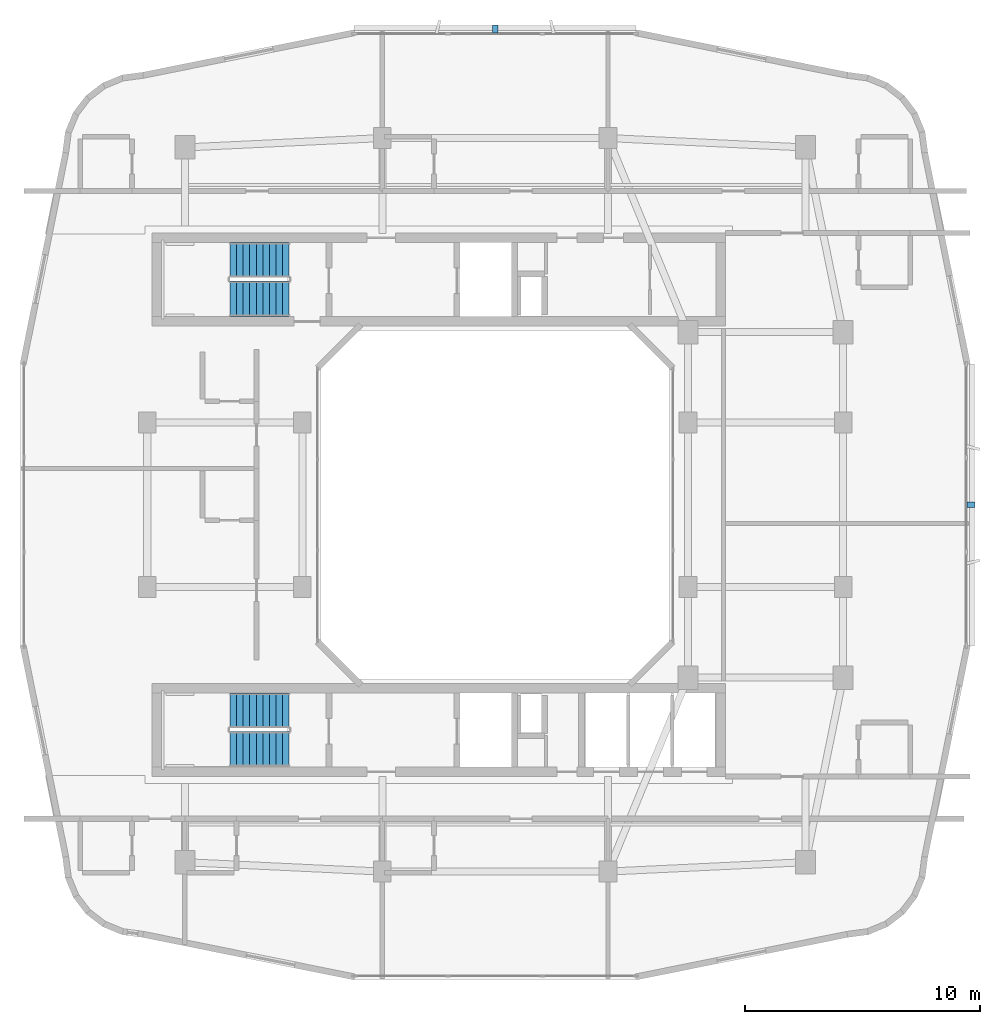
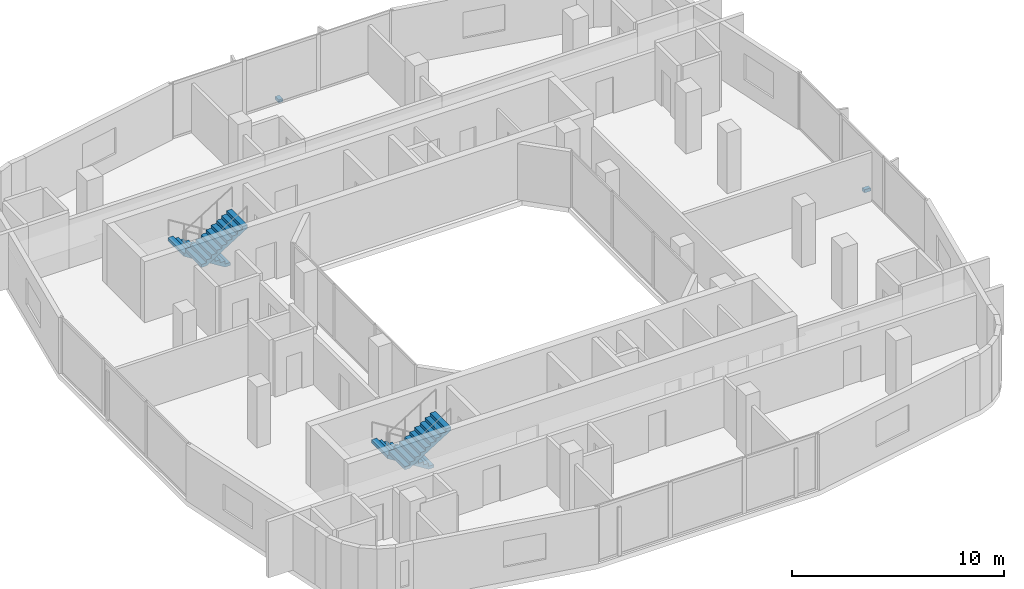
# One storey, part 10 of 14: 4 stair flights, 2 discrete accessories, 2 elements without a shape of their own.
"""IFC4 building model written with IfcOpenShell, lengths in metres."""

from ifc_helpers import new_model, si_unit, derived_unit, direction, frame, origin, origin_2d, place, context, subcontext, project, spatial, polyline, rectangle, outline, extrude, material, type_object, element, aggregate, save


model = new_model("IFC4")

# Units and contexts
model_context = context("Model", 3, precision=1e-05, world=origin(), true_north=direction((0.0, 1.0)))
body_context = subcontext(model_context, "Body", "Model", "MODEL_VIEW")
ifc_project = project(units=[si_unit("LENGTHUNIT", "METRE"), si_unit("AREAUNIT", "SQUARE_METRE"), si_unit("VOLUMEUNIT", "CUBIC_METRE"), si_unit("PLANEANGLEUNIT", "RADIAN"), si_unit("MASSUNIT", "GRAM", prefix="KILO"), derived_unit("THERMALTRANSMITTANCEUNIT", [(si_unit("POWERUNIT", "WATT"), 1), (si_unit("LENGTHUNIT", "METRE"), -2), (si_unit("THERMODYNAMICTEMPERATUREUNIT", "KELVIN"), -1)])], contexts=[model_context])

# Site, building, storey
site_placement = place(None, origin())
site = spatial("IfcSite", under=ifc_project, at=site_placement, CompositionType="ELEMENT")
building_placement = place(site_placement, origin())
building = spatial("IfcBuilding", under=site, at=building_placement, Name="Kivonza Crest Hotel", CompositionType="ELEMENT")
storey_placement = place(building_placement, frame((0.0, 0.0, 148.5)))
storey = spatial("IfcBuildingStorey", under=building, at=storey_placement, Name="L40", CompositionType="ELEMENT", Elevation=148.5)

# Stair, stair flights
ifc_material_1 = material(Name="Concrete C40/50", Category="concrete")
stair_type = type_object("IfcStairType", Name="ST-DL-20R", PredefinedType="HALF_TURN_STAIR", material=ifc_material_1)
stair_1_placement = place(storey_placement, origin())
stair_1 = element("IfcStair", 1, at=stair_1_placement, inside=storey, type_object=stair_type, Name="L40 Protected Exit Stair ST-T1-N", PredefinedType="HALF_TURN_STAIR")
stair_flight_type = type_object("IfcStairFlightType", Name="SFL-RC-10R", PredefinedType="STRAIGHT", material=ifc_material_1)
stair_flight_1_placement = place(storey_placement, frame((12.239990234375, 35.409912109375, 0.0), z_axis=(0.0, 0.0, 1.0), x_axis=(-1.0, 0.0, 0.0)))
stair_flight_1 = element("IfcStairFlight", 2, at=stair_flight_1_placement, type_object=stair_flight_type, Name="ST-T1-N flight 1", NumberOfRisers=10, NumberOfTreads=9, PredefinedType="STRAIGHT", RiserHeight=0.175, TreadLength=0.28, context=body_context, shape_type="SweptSolid", body=[
    extrude(outline(polyline([(0.0, 0.0), (0.0, 0.175048828125), (0.280029296875, 0.175048828125), (0.280029296875, 0.35009765625), (0.56005859375, 0.35009765625), (0.56005859375, 0.52490234375), (0.840087890625, 0.52490234375), (0.840087890625, 0.699951171875), (1.1201171875, 0.699951171875), (1.1201171875, 0.875), (1.39990234375, 0.875), (1.39990234375, 1.050048828125), (1.679931640625, 1.050048828125), (1.679931640625, 1.22509765625), (1.9599609375, 1.22509765625), (1.9599609375, 1.39990234375), (2.239990234375, 1.39990234375), (2.239990234375, 1.574951171875), (2.52001953125, 1.574951171875), (2.52001953125, 1.75), (2.52001953125, 1.398193359375), (0.28271484375, 0.0), (0.0, 0.0)])), frame((0.0, 0.75, 0.0), z_axis=(0.0, -1.0, 0.0), x_axis=(1.0, 0.0, 0.0)), (0.0, 0.0, 1.0), 1.5),
])
stair_flight_2_placement = place(storey_placement, frame((9.719970703125, 33.77001953125, 1.75), z_axis=(0.0, 0.0, 1.0), x_axis=(1.0, 0.0, 0.0)))
stair_flight_2 = element("IfcStairFlight", 3, at=stair_flight_2_placement, type_object=stair_flight_type, Name="ST-T1-N flight 2", NumberOfRisers=10, NumberOfTreads=9, PredefinedType="STRAIGHT", RiserHeight=0.175, TreadLength=0.28, context=body_context, shape_type="SweptSolid", body=[
    extrude(outline(polyline([(0.0, 0.0), (0.0, 0.175048828125), (0.280029296875, 0.175048828125), (0.280029296875, 0.35009765625), (0.56005859375, 0.35009765625), (0.56005859375, 0.52490234375), (0.840087890625, 0.52490234375), (0.840087890625, 0.699951171875), (1.1201171875, 0.699951171875), (1.1201171875, 0.875), (1.39990234375, 0.875), (1.39990234375, 1.050048828125), (1.679931640625, 1.050048828125), (1.679931640625, 1.22509765625), (1.9599609375, 1.22509765625), (1.9599609375, 1.39990234375), (2.239990234375, 1.39990234375), (2.239990234375, 1.574951171875), (2.52001953125, 1.574951171875), (2.52001953125, 1.75), (2.52001953125, 1.398193359375), (0.28271484375, 0.0), (0.0, 0.0)])), frame((0.0, 0.75, 0.0), z_axis=(0.0, -1.0, 0.0), x_axis=(1.0, 0.0, 0.0)), (0.0, 0.0, 1.0), 1.5),
])
aggregate(stair_1, [stair_flight_1, stair_flight_2])

stair_2_placement = place(storey_placement, origin())
stair_2 = element("IfcStair", 4, at=stair_2_placement, inside=storey, type_object=stair_type, Name="L40 Protected Exit Stair ST-T1-S", PredefinedType="HALF_TURN_STAIR")
stair_flight_3_placement = place(storey_placement, frame((12.239990234375, 16.25, 0.0), z_axis=(0.0, 0.0, 1.0), x_axis=(-1.0, 0.0, 0.0)))
stair_flight_3 = element("IfcStairFlight", 5, at=stair_flight_3_placement, type_object=stair_flight_type, Name="ST-T1-S flight 1", NumberOfRisers=10, NumberOfTreads=9, PredefinedType="STRAIGHT", RiserHeight=0.175, TreadLength=0.28, context=body_context, shape_type="SweptSolid", body=[
    extrude(outline(polyline([(0.0, 0.0), (0.0, 0.175048828125), (0.280029296875, 0.175048828125), (0.280029296875, 0.35009765625), (0.56005859375, 0.35009765625), (0.56005859375, 0.52490234375), (0.840087890625, 0.52490234375), (0.840087890625, 0.699951171875), (1.1201171875, 0.699951171875), (1.1201171875, 0.875), (1.39990234375, 0.875), (1.39990234375, 1.050048828125), (1.679931640625, 1.050048828125), (1.679931640625, 1.22509765625), (1.9599609375, 1.22509765625), (1.9599609375, 1.39990234375), (2.239990234375, 1.39990234375), (2.239990234375, 1.574951171875), (2.52001953125, 1.574951171875), (2.52001953125, 1.75), (2.52001953125, 1.398193359375), (0.28271484375, 0.0), (0.0, 0.0)])), frame((0.0, 0.75, 0.0), z_axis=(0.0, -1.0, 0.0), x_axis=(1.0, 0.0, 0.0)), (0.0, 0.0, 1.0), 1.5),
])
stair_flight_4_placement = place(storey_placement, frame((9.719970703125, 14.610107421875, 1.75), z_axis=(0.0, 0.0, 1.0), x_axis=(1.0, 0.0, 0.0)))
stair_flight_4 = element("IfcStairFlight", 6, at=stair_flight_4_placement, type_object=stair_flight_type, Name="ST-T1-S flight 2", NumberOfRisers=10, NumberOfTreads=9, PredefinedType="STRAIGHT", RiserHeight=0.175, TreadLength=0.28, context=body_context, shape_type="SweptSolid", body=[
    extrude(outline(polyline([(0.0, 0.0), (0.0, 0.175048828125), (0.280029296875, 0.175048828125), (0.280029296875, 0.35009765625), (0.56005859375, 0.35009765625), (0.56005859375, 0.52490234375), (0.840087890625, 0.52490234375), (0.840087890625, 0.699951171875), (1.1201171875, 0.699951171875), (1.1201171875, 0.875), (1.39990234375, 0.875), (1.39990234375, 1.050048828125), (1.679931640625, 1.050048828125), (1.679931640625, 1.22509765625), (1.9599609375, 1.22509765625), (1.9599609375, 1.39990234375), (2.239990234375, 1.39990234375), (2.239990234375, 1.574951171875), (2.52001953125, 1.574951171875), (2.52001953125, 1.75), (2.52001953125, 1.398193359375), (0.28271484375, 0.0), (0.0, 0.0)])), frame((0.0, 0.75, 0.0), z_axis=(0.0, -1.0, 0.0), x_axis=(1.0, 0.0, 0.0)), (0.0, 0.0, 1.0), 1.5),
])
aggregate(stair_2, [stair_flight_3, stair_flight_4])

# Discrete accessories
ifc_material_2 = material(Name="Stainless steel 316", Category="steel")
discrete_accessory_type = type_object("IfcDiscreteAccessoryType", Name="AC-BRACKET-240", PredefinedType="BRACKET", material=ifc_material_2)
for number, where, z_axis, x_axis, name in (
    (7, (41.239990234375, 25.0, -0.009765625), (0.0, 0.0, 1.0), (0.0, 1.0, 0.0), "L40 terracotta baguette support bracket CW-T1-L40-17"),
    (8, (21.0, 45.239990234375, -0.009765625), (0.0, 0.0, 1.0), (-1.0, 0.0, 0.0), "L40 terracotta baguette support bracket CW-T1-L40-26"),
):
    element("IfcDiscreteAccessory", number, at=place(storey_placement, frame(where, z_axis=z_axis, x_axis=x_axis)), inside=storey, type_object=discrete_accessory_type, Name=name, PredefinedType="BRACKET", context=body_context, shape_type="SweptSolid", body=[
        extrude(rectangle(XDim=0.219970703125, YDim=0.340087890625, at=origin_2d()), origin(), (0.0, 0.0, 1.0), 0.179931640625),
    ])

save(model, "model.ifc")
